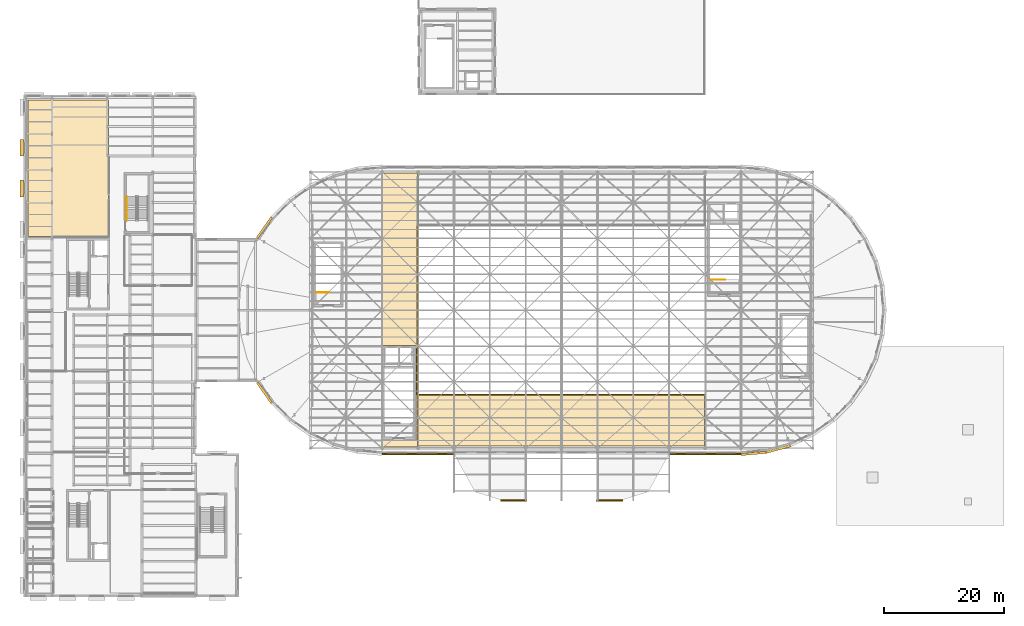
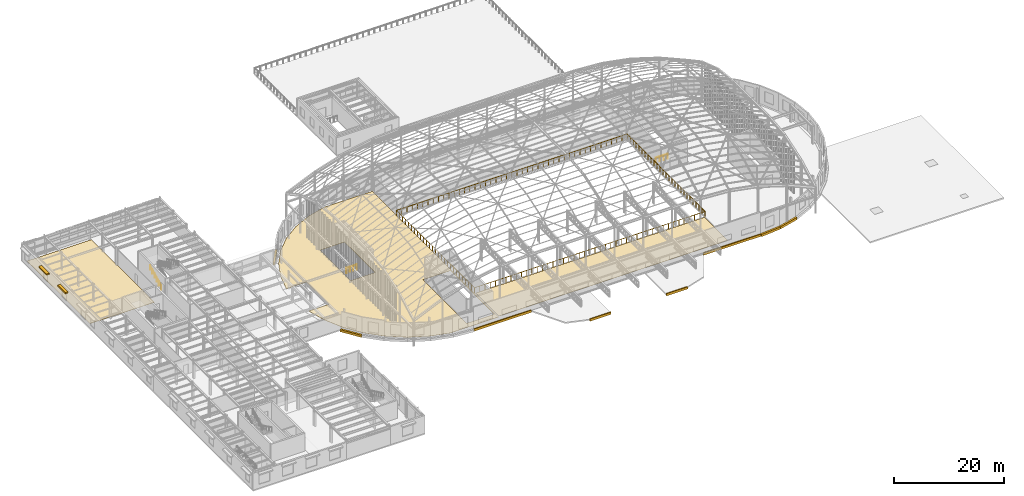
# One storey, part 72 of 75: 11 coverings, 4 railings, 2 shading devices, 1 element without a shape of its own.
"""IFC4 building model written with IfcOpenShell, lengths in metres."""

from ifc_helpers import new_model, si_unit, direction, frame, origin, origin_2d, place, context, subcontext, project, spatial, polyline, rectangle, circle, outline, extrude, material, layer, layer_set, type_object, element, aggregate, save


model = new_model("IFC4")

# Units and contexts
model_context = context("Model", 3, precision=1e-05, world=origin(), true_north=direction((0.0, 1.0)))
body_context = subcontext(model_context, "Body", "Model", "MODEL_VIEW")
ifc_project = project(units=[si_unit("LENGTHUNIT", "METRE"), si_unit("AREAUNIT", "SQUARE_METRE"), si_unit("VOLUMEUNIT", "CUBIC_METRE"), si_unit("PLANEANGLEUNIT", "RADIAN"), si_unit("MASSUNIT", "GRAM", prefix="KILO")], contexts=[model_context])

# Site, building, storey
site_placement = place(None, origin())
site = spatial("IfcSite", under=ifc_project, at=site_placement, CompositionType="ELEMENT")
building_placement = place(site_placement, origin())
building = spatial("IfcBuilding", under=site, at=building_placement, Name="Kolvaren Corner Interchange", CompositionType="ELEMENT")
storey_placement = place(building_placement, frame((0.0, 0.0, 10.5)))
storey = spatial("IfcBuildingStorey", under=building, at=storey_placement, Name="L03", CompositionType="ELEMENT", Elevation=10.5)

# Coverings
ifc_material_1 = material(Name="Polished Niger Delta Granite Terrazzo Flooring", Category="masonry")
ifc_layer_1 = layer(ifc_material_1, 0.030029296875)
ifc_layer_set_1 = layer_set([ifc_layer_1], Name="Polished Niger Delta Granite Terrazzo Flooring")
covering_type_1 = type_object("IfcCoveringType", Name="COV-FLR-TER30", PredefinedType="FLOORING", material=ifc_layer_set_1)
covering_1_placement = place(storey_placement, origin())
element("IfcCovering", 1, at=covering_1_placement, inside=storey, type_object=covering_type_1, Name="L03 West Sky Waiting Hall Floor Finish", PredefinedType="FLOORING", context=body_context, shape_type="SweptSolid", body=[
    extrude(outline(polyline([(37.042724609375, 43.919921875), (38.086669921875, 40.024169921875), (39.804443359375, 36.340087890625), (42.135986328125, 33.010498046875), (45.010498046875, 30.135986328125), (48.340087890625, 27.804443359375), (52.024169921875, 26.086669921875), (55.781005859375, 25.080078125), (65.919921875, 25.080078125), (65.919921875, 33.8759765625), (65.883544921875, 33.905517578125), (65.8701171875, 33.949951171875), (65.8701171875, 62.050048828125), (65.883544921875, 62.094482421875), (65.919921875, 62.1240234375), (65.919921875, 70.919921875), (55.781005859375, 70.919921875), (52.024169921875, 69.913330078125), (48.340087890625, 68.195556640625), (45.010498046875, 65.864013671875), (42.135986328125, 62.989501953125), (39.804443359375, 59.659912109375), (38.086669921875, 55.975830078125), (37.053955078125, 52.080078125), (41.199951171875, 52.080078125), (41.2705078125, 52.03759765625), (41.27392578125, 43.969482421875), (41.244384765625, 43.93359375), (41.199951171875, 43.919921875), (37.042724609375, 43.919921875)]), holes=[polyline([(65.606689453125, 42.106689453125), (65.6298828125, 42.050048828125), (65.626708984375, 26.326904296875), (65.594482421875, 26.283447265625), (65.550048828125, 26.27001953125), (59.9267578125, 26.2734375), (59.88818359375, 26.29931640625), (59.8701171875, 26.35009765625), (59.873291015625, 42.0732421875), (59.899169921875, 42.11181640625), (59.949951171875, 42.1298828125), (65.550048828125, 42.1298828125), (65.606689453125, 42.106689453125)]), polyline([(53.506591796875, 59.506591796875), (53.530029296875, 59.449951171875), (53.52392578125, 48.519287109375), (53.494384765625, 48.4833984375), (53.449951171875, 48.469970703125), (48.519287109375, 48.47607421875), (48.4833984375, 48.505615234375), (48.469970703125, 48.550048828125), (48.47607421875, 59.480712890625), (48.505615234375, 59.5166015625), (48.550048828125, 59.530029296875), (53.449951171875, 59.530029296875), (53.506591796875, 59.506591796875)])]), origin(), (0.0, 0.0, 1.0), 0.030029296875),
])
covering_2_placement = place(storey_placement, origin())
element("IfcCovering", 2, at=covering_2_placement, inside=storey, type_object=covering_type_1, Name="L03 South Sky Waiting Gallery Floor Finish", PredefinedType="FLOORING", context=body_context, shape_type="SweptSolid", body=[
    extrude(outline(polyline([(113.919921875, 25.280029296875), (113.919921875, 33.719970703125), (66.080078125, 33.719970703125), (66.080078125, 25.280029296875), (113.919921875, 25.280029296875)])), origin(), (0.0, 0.0, 1.0), 0.030029296875),
])
covering_3_placement = place(storey_placement, origin())
element("IfcCovering", 3, at=covering_3_placement, inside=storey, type_object=covering_type_1, Name="L03 Staff Records and Archive Suite Floor Finish", PredefinedType="FLOORING", context=body_context, shape_type="SweptSolid", body=[
    extrude(outline(polyline([(0.72998046875, 60.280029296875), (14.219970703125, 60.280029296875), (14.219970703125, 83.1201171875), (0.72998046875, 83.1201171875), (0.72998046875, 60.280029296875)])), origin(), (0.0, 0.0, 1.0), 0.030029296875),
])
ifc_material_2 = material(Name="Glazed White Terracotta Fascia Cladding", Category="masonry")
ifc_layer_2 = layer(ifc_material_2, 0.0400390625)
ifc_layer_set_2 = layer_set([ifc_layer_2], Name="Glazed White Terracotta Fascia Cladding")
covering_type_2 = type_object("IfcCoveringType", Name="COV-WHT-CLAD40", PredefinedType="CLADDING", material=ifc_layer_set_2)
covering_4_placement = place(storey_placement, frame((0.0, 0.0, -0.320068359375)))
element("IfcCovering", 4, at=covering_4_placement, inside=storey, type_object=covering_type_2, Name="South Portal L03 West Parted White Band", PredefinedType="CLADDING", context=body_context, shape_type="SweptSolid", body=[
    extrude(outline(polyline([(79.800048828125, 16.050048828125), (84.199951171875, 16.050048828125), (84.199951171875, 16.25), (79.800048828125, 16.25), (79.800048828125, 16.050048828125)])), origin(), (0.0, 0.0, 1.0), 0.5),
])
covering_5_placement = place(storey_placement, frame((0.0, 0.0, -0.320068359375)))
element("IfcCovering", 5, at=covering_5_placement, inside=storey, type_object=covering_type_2, Name="South Portal L03 East Parted White Band", PredefinedType="CLADDING", context=body_context, shape_type="SweptSolid", body=[
    extrude(outline(polyline([(95.800048828125, 16.050048828125), (100.199951171875, 16.050048828125), (100.199951171875, 16.25), (95.800048828125, 16.25), (95.800048828125, 16.050048828125)])), origin(), (0.0, 0.0, 1.0), 0.5),
])
covering_6_placement = place(storey_placement, frame((0.0, 0.0, -0.320068359375)))
element("IfcCovering", 6, at=covering_6_placement, inside=storey, type_object=covering_type_2, Name="Racetrack South West L03 White Band", PredefinedType="CLADDING", context=body_context, shape_type="SweptSolid", body=[
    extrude(outline(polyline([(60.0, 23.820068359375), (72.0, 23.820068359375), (72.0, 24.06005859375), (60.0, 24.06005859375), (60.0, 23.820068359375)])), origin(), (0.0, 0.0, 1.0), 0.5),
])
covering_7_placement = place(storey_placement, frame((0.0, 0.0, -0.320068359375)))
element("IfcCovering", 7, at=covering_7_placement, inside=storey, type_object=covering_type_2, Name="Racetrack South East L03 White Band", PredefinedType="CLADDING", context=body_context, shape_type="SweptSolid", body=[
    extrude(outline(polyline([(108.0, 23.820068359375), (120.0, 23.820068359375), (120.0, 24.06005859375), (108.0, 24.06005859375), (108.0, 23.820068359375)])), origin(), (0.0, 0.0, 1.0), 0.5),
])
covering_8_placement = place(storey_placement, frame((0.0, 0.0, -0.320068359375)))
element("IfcCovering", 8, at=covering_8_placement, inside=storey, type_object=covering_type_2, Name="Racetrack West L03 Sweeping White Edge Band 06", PredefinedType="CLADDING", context=body_context, shape_type="SweptSolid", body=[
    extrude(outline(polyline([(41.6455078125, 63.401123046875), (41.3544921875, 63.6455078125), (38.9208984375, 60.169921875), (39.25, 59.97998046875), (41.6455078125, 63.401123046875)])), origin(), (0.0, 0.0, 1.0), 0.5),
])
covering_9_placement = place(storey_placement, frame((0.0, 0.0, -0.320068359375)))
element("IfcCovering", 9, at=covering_9_placement, inside=storey, type_object=covering_type_2, Name="Racetrack West L03 Sweeping White Edge Band 13", PredefinedType="CLADDING", context=body_context, shape_type="SweptSolid", body=[
    extrude(outline(polyline([(39.25, 36.02001953125), (38.9208984375, 35.830078125), (41.3544921875, 32.3544921875), (41.6455078125, 32.598876953125), (39.25, 36.02001953125)])), origin(), (0.0, 0.0, 1.0), 0.5),
])
covering_10_placement = place(storey_placement, frame((0.0, 0.0, -0.320068359375)))
element("IfcCovering", 10, at=covering_10_placement, inside=storey, type_object=covering_type_2, Name="Racetrack East L03 Sweeping White Edge Band 01", PredefinedType="CLADDING", context=body_context, shape_type="SweptSolid", body=[
    extrude(outline(polyline([(120.0, 24.0400390625), (120.0, 23.659912109375), (124.2265625, 24.02978515625), (124.16064453125, 24.404052734375), (120.0, 24.0400390625)])), origin(), (0.0, 0.0, 1.0), 0.5),
])
covering_11_placement = place(storey_placement, frame((0.0, 0.0, -0.320068359375)))
element("IfcCovering", 11, at=covering_11_placement, inside=storey, type_object=covering_type_2, Name="Racetrack East L03 Sweeping White Edge Band 02", PredefinedType="CLADDING", context=body_context, shape_type="SweptSolid", body=[
    extrude(outline(polyline([(124.16064453125, 24.404052734375), (124.2265625, 24.02978515625), (128.32470703125, 25.1279296875), (128.19482421875, 25.485107421875), (124.16064453125, 24.404052734375)])), origin(), (0.0, 0.0, 1.0), 0.5),
])

# Railings
ifc_material_3 = material(Name="Acoustic Laminated Glass Sky Gallery Balustrade", Category="glass")
railing_type_1 = type_object("IfcRailingType", Name="RLT-SKY-GRD1180", PredefinedType="BALUSTRADE", material=ifc_material_3)
railing_1_placement = place(storey_placement, frame((65.8798828125, 33.8798828125, 0.0)))
element("IfcRailing", 12, at=railing_1_placement, inside=storey, type_object=railing_type_1, Name="Level 03 Sky Gallery Atrium Void Balustrade", PredefinedType="BALUSTRADE", context=body_context, shape_type="SweptSolid", body=[
    extrude(circle(Radius=0.02587890625, at=origin_2d()), frame((0.0, 0.0, 1.15380859375), z_axis=(1.0, 0.0, 0.0), x_axis=(0.0, 1.0, 0.0)), (0.0, 0.0, 1.0), 48.240234375),
    extrude(circle(Radius=0.02587890625, at=origin_2d()), frame((48.240234375, 0.0, 1.15380859375), z_axis=(0.0, 1.0, 0.0), x_axis=(-1.0, 0.0, 0.0)), (0.0, 0.0, 1.0), 28.240234375),
    extrude(circle(Radius=0.02587890625, at=origin_2d()), frame((48.240234375, 28.240234375, 1.15380859375), z_axis=(-1.0, 0.0, 0.0), x_axis=(0.0, -1.0, 0.0)), (0.0, 0.0, 1.0), 48.240234375),
    extrude(circle(Radius=0.02587890625, at=origin_2d()), frame((0.0, 28.240234375, 1.15380859375), z_axis=(0.0, -1.0, 0.0), x_axis=(1.0, 0.0, 0.0)), (0.0, 0.0, 1.0), 28.240234375),
    extrude(circle(Radius=0.02294921875, at=origin_2d()), origin(), (0.0, 0.0, 1.0), 1.1279296875),
    extrude(circle(Radius=0.02294921875, at=origin_2d()), frame((1.096435546875, 0.0, 0.0)), (0.0, 0.0, 1.0), 1.1279296875),
    extrude(circle(Radius=0.02294921875, at=origin_2d()), frame((2.192626953125, 0.0, 0.0)), (0.0, 0.0, 1.0), 1.1279296875),
    extrude(circle(Radius=0.02294921875, at=origin_2d()), frame((3.2890625, 0.0, 0.0)), (0.0, 0.0, 1.0), 1.1279296875),
    extrude(circle(Radius=0.02294921875, at=origin_2d()), frame((4.385498046875, 0.0, 0.0)), (0.0, 0.0, 1.0), 1.1279296875),
    extrude(circle(Radius=0.02294921875, at=origin_2d()), frame((5.48193359375, 0.0, 0.0)), (0.0, 0.0, 1.0), 1.1279296875),
    extrude(circle(Radius=0.02294921875, at=origin_2d()), frame((6.578125, 0.0, 0.0)), (0.0, 0.0, 1.0), 1.1279296875),
    extrude(circle(Radius=0.02294921875, at=origin_2d()), frame((7.674560546875, 0.0, 0.0)), (0.0, 0.0, 1.0), 1.1279296875),
    extrude(circle(Radius=0.02294921875, at=origin_2d()), frame((8.77099609375, 0.0, 0.0)), (0.0, 0.0, 1.0), 1.1279296875),
    extrude(circle(Radius=0.02294921875, at=origin_2d()), frame((9.867431640625, 0.0, 0.0)), (0.0, 0.0, 1.0), 1.1279296875),
    extrude(circle(Radius=0.02294921875, at=origin_2d()), frame((10.963623046875, 0.0, 0.0)), (0.0, 0.0, 1.0), 1.1279296875),
    extrude(circle(Radius=0.02294921875, at=origin_2d()), frame((12.06005859375, 0.0, 0.0)), (0.0, 0.0, 1.0), 1.1279296875),
    extrude(circle(Radius=0.02294921875, at=origin_2d()), frame((13.156494140625, 0.0, 0.0)), (0.0, 0.0, 1.0), 1.1279296875),
    extrude(circle(Radius=0.02294921875, at=origin_2d()), frame((14.252685546875, 0.0, 0.0)), (0.0, 0.0, 1.0), 1.1279296875),
    extrude(circle(Radius=0.02294921875, at=origin_2d()), frame((15.34912109375, 0.0, 0.0)), (0.0, 0.0, 1.0), 1.1279296875),
    extrude(circle(Radius=0.02294921875, at=origin_2d()), frame((16.445556640625, 0.0, 0.0)), (0.0, 0.0, 1.0), 1.1279296875),
    extrude(circle(Radius=0.02294921875, at=origin_2d()), frame((17.5419921875, 0.0, 0.0)), (0.0, 0.0, 1.0), 1.1279296875),
    extrude(circle(Radius=0.02294921875, at=origin_2d()), frame((18.63818359375, 0.0, 0.0)), (0.0, 0.0, 1.0), 1.1279296875),
    extrude(circle(Radius=0.02294921875, at=origin_2d()), frame((19.734619140625, 0.0, 0.0)), (0.0, 0.0, 1.0), 1.1279296875),
    extrude(circle(Radius=0.02294921875, at=origin_2d()), frame((20.8310546875, 0.0, 0.0)), (0.0, 0.0, 1.0), 1.1279296875),
    extrude(circle(Radius=0.02294921875, at=origin_2d()), frame((21.927490234375, 0.0, 0.0)), (0.0, 0.0, 1.0), 1.1279296875),
    extrude(circle(Radius=0.02294921875, at=origin_2d()), frame((23.023681640625, 0.0, 0.0)), (0.0, 0.0, 1.0), 1.1279296875),
    extrude(circle(Radius=0.02294921875, at=origin_2d()), frame((24.1201171875, 0.0, 0.0)), (0.0, 0.0, 1.0), 1.1279296875),
    extrude(circle(Radius=0.02294921875, at=origin_2d()), frame((25.216552734375, 0.0, 0.0)), (0.0, 0.0, 1.0), 1.1279296875),
    extrude(circle(Radius=0.02294921875, at=origin_2d()), frame((26.312744140625, 0.0, 0.0)), (0.0, 0.0, 1.0), 1.1279296875),
    extrude(circle(Radius=0.02294921875, at=origin_2d()), frame((27.4091796875, 0.0, 0.0)), (0.0, 0.0, 1.0), 1.1279296875),
    extrude(circle(Radius=0.02294921875, at=origin_2d()), frame((28.505615234375, 0.0, 0.0)), (0.0, 0.0, 1.0), 1.1279296875),
    extrude(circle(Radius=0.02294921875, at=origin_2d()), frame((29.60205078125, 0.0, 0.0)), (0.0, 0.0, 1.0), 1.1279296875),
    extrude(circle(Radius=0.02294921875, at=origin_2d()), frame((30.6982421875, 0.0, 0.0)), (0.0, 0.0, 1.0), 1.1279296875),
    extrude(circle(Radius=0.02294921875, at=origin_2d()), frame((31.794677734375, 0.0, 0.0)), (0.0, 0.0, 1.0), 1.1279296875),
    extrude(circle(Radius=0.02294921875, at=origin_2d()), frame((32.89111328125, 0.0, 0.0)), (0.0, 0.0, 1.0), 1.1279296875),
    extrude(circle(Radius=0.02294921875, at=origin_2d()), frame((33.987548828125, 0.0, 0.0)), (0.0, 0.0, 1.0), 1.1279296875),
    extrude(circle(Radius=0.02294921875, at=origin_2d()), frame((35.083740234375, 0.0, 0.0)), (0.0, 0.0, 1.0), 1.1279296875),
    extrude(circle(Radius=0.02294921875, at=origin_2d()), frame((36.18017578125, 0.0, 0.0)), (0.0, 0.0, 1.0), 1.1279296875),
    extrude(circle(Radius=0.02294921875, at=origin_2d()), frame((37.276611328125, 0.0, 0.0)), (0.0, 0.0, 1.0), 1.1279296875),
    extrude(circle(Radius=0.02294921875, at=origin_2d()), frame((38.372802734375, 0.0, 0.0)), (0.0, 0.0, 1.0), 1.1279296875),
    extrude(circle(Radius=0.02294921875, at=origin_2d()), frame((39.46923828125, 0.0, 0.0)), (0.0, 0.0, 1.0), 1.1279296875),
    extrude(circle(Radius=0.02294921875, at=origin_2d()), frame((40.565673828125, 0.0, 0.0)), (0.0, 0.0, 1.0), 1.1279296875),
    extrude(circle(Radius=0.02294921875, at=origin_2d()), frame((41.662109375, 0.0, 0.0)), (0.0, 0.0, 1.0), 1.1279296875),
    extrude(circle(Radius=0.02294921875, at=origin_2d()), frame((42.75830078125, 0.0, 0.0)), (0.0, 0.0, 1.0), 1.1279296875),
    extrude(circle(Radius=0.02294921875, at=origin_2d()), frame((43.854736328125, 0.0, 0.0)), (0.0, 0.0, 1.0), 1.1279296875),
    extrude(circle(Radius=0.02294921875, at=origin_2d()), frame((44.951171875, 0.0, 0.0)), (0.0, 0.0, 1.0), 1.1279296875),
    extrude(circle(Radius=0.02294921875, at=origin_2d()), frame((46.047607421875, 0.0, 0.0)), (0.0, 0.0, 1.0), 1.1279296875),
    extrude(circle(Radius=0.02294921875, at=origin_2d()), frame((47.143798828125, 0.0, 0.0)), (0.0, 0.0, 1.0), 1.1279296875),
    extrude(circle(Radius=0.02294921875, at=origin_2d()), frame((48.240234375, 0.0, 0.0)), (0.0, 0.0, 1.0), 1.1279296875),
    extrude(circle(Radius=0.02294921875, at=origin_2d()), frame((48.240234375, 1.086181640625, 0.0)), (0.0, 0.0, 1.0), 1.1279296875),
    extrude(circle(Radius=0.02294921875, at=origin_2d()), frame((48.240234375, 2.17236328125, 0.0)), (0.0, 0.0, 1.0), 1.1279296875),
    extrude(circle(Radius=0.02294921875, at=origin_2d()), frame((48.240234375, 3.258544921875, 0.0)), (0.0, 0.0, 1.0), 1.1279296875),
    extrude(circle(Radius=0.02294921875, at=origin_2d()), frame((48.240234375, 4.3447265625, 0.0)), (0.0, 0.0, 1.0), 1.1279296875),
    extrude(circle(Radius=0.02294921875, at=origin_2d()), frame((48.240234375, 5.430908203125, 0.0)), (0.0, 0.0, 1.0), 1.1279296875),
    extrude(circle(Radius=0.02294921875, at=origin_2d()), frame((48.240234375, 6.51708984375, 0.0)), (0.0, 0.0, 1.0), 1.1279296875),
    extrude(circle(Radius=0.02294921875, at=origin_2d()), frame((48.240234375, 7.60302734375, 0.0)), (0.0, 0.0, 1.0), 1.1279296875),
    extrude(circle(Radius=0.02294921875, at=origin_2d()), frame((48.240234375, 8.689208984375, 0.0)), (0.0, 0.0, 1.0), 1.1279296875),
    extrude(circle(Radius=0.02294921875, at=origin_2d()), frame((48.240234375, 9.775390625, 0.0)), (0.0, 0.0, 1.0), 1.1279296875),
    extrude(circle(Radius=0.02294921875, at=origin_2d()), frame((48.240234375, 10.861572265625, 0.0)), (0.0, 0.0, 1.0), 1.1279296875),
    extrude(circle(Radius=0.02294921875, at=origin_2d()), frame((48.240234375, 11.94775390625, 0.0)), (0.0, 0.0, 1.0), 1.1279296875),
    extrude(circle(Radius=0.02294921875, at=origin_2d()), frame((48.240234375, 13.033935546875, 0.0)), (0.0, 0.0, 1.0), 1.1279296875),
    extrude(circle(Radius=0.02294921875, at=origin_2d()), frame((48.240234375, 14.1201171875, 0.0)), (0.0, 0.0, 1.0), 1.1279296875),
    extrude(circle(Radius=0.02294921875, at=origin_2d()), frame((48.240234375, 15.206298828125, 0.0)), (0.0, 0.0, 1.0), 1.1279296875),
    extrude(circle(Radius=0.02294921875, at=origin_2d()), frame((48.240234375, 16.29248046875, 0.0)), (0.0, 0.0, 1.0), 1.1279296875),
    extrude(circle(Radius=0.02294921875, at=origin_2d()), frame((48.240234375, 17.378662109375, 0.0)), (0.0, 0.0, 1.0), 1.1279296875),
    extrude(circle(Radius=0.02294921875, at=origin_2d()), frame((48.240234375, 18.46484375, 0.0)), (0.0, 0.0, 1.0), 1.1279296875),
    extrude(circle(Radius=0.02294921875, at=origin_2d()), frame((48.240234375, 19.551025390625, 0.0)), (0.0, 0.0, 1.0), 1.1279296875),
    extrude(circle(Radius=0.02294921875, at=origin_2d()), frame((48.240234375, 20.63720703125, 0.0)), (0.0, 0.0, 1.0), 1.1279296875),
    extrude(circle(Radius=0.02294921875, at=origin_2d()), frame((48.240234375, 21.72314453125, 0.0)), (0.0, 0.0, 1.0), 1.1279296875),
    extrude(circle(Radius=0.02294921875, at=origin_2d()), frame((48.240234375, 22.809326171875, 0.0)), (0.0, 0.0, 1.0), 1.1279296875),
    extrude(circle(Radius=0.02294921875, at=origin_2d()), frame((48.240234375, 23.8955078125, 0.0)), (0.0, 0.0, 1.0), 1.1279296875),
    extrude(circle(Radius=0.02294921875, at=origin_2d()), frame((48.240234375, 24.981689453125, 0.0)), (0.0, 0.0, 1.0), 1.1279296875),
    extrude(circle(Radius=0.02294921875, at=origin_2d()), frame((48.240234375, 26.06787109375, 0.0)), (0.0, 0.0, 1.0), 1.1279296875),
    extrude(circle(Radius=0.02294921875, at=origin_2d()), frame((48.240234375, 27.154052734375, 0.0)), (0.0, 0.0, 1.0), 1.1279296875),
    extrude(circle(Radius=0.02294921875, at=origin_2d()), frame((48.240234375, 28.240234375, 0.0)), (0.0, 0.0, 1.0), 1.1279296875),
    extrude(circle(Radius=0.02294921875, at=origin_2d()), frame((47.143798828125, 28.240234375, 0.0)), (0.0, 0.0, 1.0), 1.1279296875),
    extrude(circle(Radius=0.02294921875, at=origin_2d()), frame((46.047607421875, 28.240234375, 0.0)), (0.0, 0.0, 1.0), 1.1279296875),
    extrude(circle(Radius=0.02294921875, at=origin_2d()), frame((44.951171875, 28.240234375, 0.0)), (0.0, 0.0, 1.0), 1.1279296875),
    extrude(circle(Radius=0.02294921875, at=origin_2d()), frame((43.854736328125, 28.240234375, 0.0)), (0.0, 0.0, 1.0), 1.1279296875),
    extrude(circle(Radius=0.02294921875, at=origin_2d()), frame((42.75830078125, 28.240234375, 0.0)), (0.0, 0.0, 1.0), 1.1279296875),
    extrude(circle(Radius=0.02294921875, at=origin_2d()), frame((41.662109375, 28.240234375, 0.0)), (0.0, 0.0, 1.0), 1.1279296875),
    extrude(circle(Radius=0.02294921875, at=origin_2d()), frame((40.565673828125, 28.240234375, 0.0)), (0.0, 0.0, 1.0), 1.1279296875),
    extrude(circle(Radius=0.02294921875, at=origin_2d()), frame((39.46923828125, 28.240234375, 0.0)), (0.0, 0.0, 1.0), 1.1279296875),
    extrude(circle(Radius=0.02294921875, at=origin_2d()), frame((38.372802734375, 28.240234375, 0.0)), (0.0, 0.0, 1.0), 1.1279296875),
    extrude(circle(Radius=0.02294921875, at=origin_2d()), frame((37.276611328125, 28.240234375, 0.0)), (0.0, 0.0, 1.0), 1.1279296875),
    extrude(circle(Radius=0.02294921875, at=origin_2d()), frame((36.18017578125, 28.240234375, 0.0)), (0.0, 0.0, 1.0), 1.1279296875),
    extrude(circle(Radius=0.02294921875, at=origin_2d()), frame((35.083740234375, 28.240234375, 0.0)), (0.0, 0.0, 1.0), 1.1279296875),
    extrude(circle(Radius=0.02294921875, at=origin_2d()), frame((33.987548828125, 28.240234375, 0.0)), (0.0, 0.0, 1.0), 1.1279296875),
    extrude(circle(Radius=0.02294921875, at=origin_2d()), frame((32.89111328125, 28.240234375, 0.0)), (0.0, 0.0, 1.0), 1.1279296875),
    extrude(circle(Radius=0.02294921875, at=origin_2d()), frame((31.794677734375, 28.240234375, 0.0)), (0.0, 0.0, 1.0), 1.1279296875),
    extrude(circle(Radius=0.02294921875, at=origin_2d()), frame((30.6982421875, 28.240234375, 0.0)), (0.0, 0.0, 1.0), 1.1279296875),
    extrude(circle(Radius=0.02294921875, at=origin_2d()), frame((29.60205078125, 28.240234375, 0.0)), (0.0, 0.0, 1.0), 1.1279296875),
    extrude(circle(Radius=0.02294921875, at=origin_2d()), frame((28.505615234375, 28.240234375, 0.0)), (0.0, 0.0, 1.0), 1.1279296875),
    extrude(circle(Radius=0.02294921875, at=origin_2d()), frame((27.4091796875, 28.240234375, 0.0)), (0.0, 0.0, 1.0), 1.1279296875),
    extrude(circle(Radius=0.02294921875, at=origin_2d()), frame((26.312744140625, 28.240234375, 0.0)), (0.0, 0.0, 1.0), 1.1279296875),
    extrude(circle(Radius=0.02294921875, at=origin_2d()), frame((25.216552734375, 28.240234375, 0.0)), (0.0, 0.0, 1.0), 1.1279296875),
    extrude(circle(Radius=0.02294921875, at=origin_2d()), frame((24.1201171875, 28.240234375, 0.0)), (0.0, 0.0, 1.0), 1.1279296875),
    extrude(circle(Radius=0.02294921875, at=origin_2d()), frame((23.023681640625, 28.240234375, 0.0)), (0.0, 0.0, 1.0), 1.1279296875),
    extrude(circle(Radius=0.02294921875, at=origin_2d()), frame((21.927490234375, 28.240234375, 0.0)), (0.0, 0.0, 1.0), 1.1279296875),
    extrude(circle(Radius=0.02294921875, at=origin_2d()), frame((20.8310546875, 28.240234375, 0.0)), (0.0, 0.0, 1.0), 1.1279296875),
    extrude(circle(Radius=0.02294921875, at=origin_2d()), frame((19.734619140625, 28.240234375, 0.0)), (0.0, 0.0, 1.0), 1.1279296875),
    extrude(circle(Radius=0.02294921875, at=origin_2d()), frame((18.63818359375, 28.240234375, 0.0)), (0.0, 0.0, 1.0), 1.1279296875),
    extrude(circle(Radius=0.02294921875, at=origin_2d()), frame((17.5419921875, 28.240234375, 0.0)), (0.0, 0.0, 1.0), 1.1279296875),
    extrude(circle(Radius=0.02294921875, at=origin_2d()), frame((16.445556640625, 28.240234375, 0.0)), (0.0, 0.0, 1.0), 1.1279296875),
    extrude(circle(Radius=0.02294921875, at=origin_2d()), frame((15.34912109375, 28.240234375, 0.0)), (0.0, 0.0, 1.0), 1.1279296875),
    extrude(circle(Radius=0.02294921875, at=origin_2d()), frame((14.252685546875, 28.240234375, 0.0)), (0.0, 0.0, 1.0), 1.1279296875),
    extrude(circle(Radius=0.02294921875, at=origin_2d()), frame((13.156494140625, 28.240234375, 0.0)), (0.0, 0.0, 1.0), 1.1279296875),
    extrude(circle(Radius=0.02294921875, at=origin_2d()), frame((12.06005859375, 28.240234375, 0.0)), (0.0, 0.0, 1.0), 1.1279296875),
    extrude(circle(Radius=0.02294921875, at=origin_2d()), frame((10.963623046875, 28.240234375, 0.0)), (0.0, 0.0, 1.0), 1.1279296875),
    extrude(circle(Radius=0.02294921875, at=origin_2d()), frame((9.867431640625, 28.240234375, 0.0)), (0.0, 0.0, 1.0), 1.1279296875),
    extrude(circle(Radius=0.02294921875, at=origin_2d()), frame((8.77099609375, 28.240234375, 0.0)), (0.0, 0.0, 1.0), 1.1279296875),
    extrude(circle(Radius=0.02294921875, at=origin_2d()), frame((7.674560546875, 28.240234375, 0.0)), (0.0, 0.0, 1.0), 1.1279296875),
    extrude(circle(Radius=0.02294921875, at=origin_2d()), frame((6.578125, 28.240234375, 0.0)), (0.0, 0.0, 1.0), 1.1279296875),
    extrude(circle(Radius=0.02294921875, at=origin_2d()), frame((5.48193359375, 28.240234375, 0.0)), (0.0, 0.0, 1.0), 1.1279296875),
    extrude(circle(Radius=0.02294921875, at=origin_2d()), frame((4.385498046875, 28.240234375, 0.0)), (0.0, 0.0, 1.0), 1.1279296875),
    extrude(circle(Radius=0.02294921875, at=origin_2d()), frame((3.2890625, 28.240234375, 0.0)), (0.0, 0.0, 1.0), 1.1279296875),
    extrude(circle(Radius=0.02294921875, at=origin_2d()), frame((2.192626953125, 28.240234375, 0.0)), (0.0, 0.0, 1.0), 1.1279296875),
    extrude(circle(Radius=0.02294921875, at=origin_2d()), frame((1.096435546875, 28.240234375, 0.0)), (0.0, 0.0, 1.0), 1.1279296875),
    extrude(circle(Radius=0.02294921875, at=origin_2d()), frame((0.0, 28.240234375, 0.0)), (0.0, 0.0, 1.0), 1.1279296875),
    extrude(circle(Radius=0.02294921875, at=origin_2d()), frame((0.0, 27.154052734375, 0.0)), (0.0, 0.0, 1.0), 1.1279296875),
    extrude(circle(Radius=0.02294921875, at=origin_2d()), frame((0.0, 26.06787109375, 0.0)), (0.0, 0.0, 1.0), 1.1279296875),
    extrude(circle(Radius=0.02294921875, at=origin_2d()), frame((0.0, 24.981689453125, 0.0)), (0.0, 0.0, 1.0), 1.1279296875),
    extrude(circle(Radius=0.02294921875, at=origin_2d()), frame((0.0, 23.8955078125, 0.0)), (0.0, 0.0, 1.0), 1.1279296875),
    extrude(circle(Radius=0.02294921875, at=origin_2d()), frame((0.0, 22.809326171875, 0.0)), (0.0, 0.0, 1.0), 1.1279296875),
    extrude(circle(Radius=0.02294921875, at=origin_2d()), frame((0.0, 21.72314453125, 0.0)), (0.0, 0.0, 1.0), 1.1279296875),
    extrude(circle(Radius=0.02294921875, at=origin_2d()), frame((0.0, 20.63720703125, 0.0)), (0.0, 0.0, 1.0), 1.1279296875),
    extrude(circle(Radius=0.02294921875, at=origin_2d()), frame((0.0, 19.551025390625, 0.0)), (0.0, 0.0, 1.0), 1.1279296875),
    extrude(circle(Radius=0.02294921875, at=origin_2d()), frame((0.0, 18.46484375, 0.0)), (0.0, 0.0, 1.0), 1.1279296875),
    extrude(circle(Radius=0.02294921875, at=origin_2d()), frame((0.0, 17.378662109375, 0.0)), (0.0, 0.0, 1.0), 1.1279296875),
    extrude(circle(Radius=0.02294921875, at=origin_2d()), frame((0.0, 16.29248046875, 0.0)), (0.0, 0.0, 1.0), 1.1279296875),
    extrude(circle(Radius=0.02294921875, at=origin_2d()), frame((0.0, 15.206298828125, 0.0)), (0.0, 0.0, 1.0), 1.1279296875),
    extrude(circle(Radius=0.02294921875, at=origin_2d()), frame((0.0, 14.1201171875, 0.0)), (0.0, 0.0, 1.0), 1.1279296875),
    extrude(circle(Radius=0.02294921875, at=origin_2d()), frame((0.0, 13.033935546875, 0.0)), (0.0, 0.0, 1.0), 1.1279296875),
    extrude(circle(Radius=0.02294921875, at=origin_2d()), frame((0.0, 11.94775390625, 0.0)), (0.0, 0.0, 1.0), 1.1279296875),
    extrude(circle(Radius=0.02294921875, at=origin_2d()), frame((0.0, 10.861572265625, 0.0)), (0.0, 0.0, 1.0), 1.1279296875),
    extrude(circle(Radius=0.02294921875, at=origin_2d()), frame((0.0, 9.775390625, 0.0)), (0.0, 0.0, 1.0), 1.1279296875),
    extrude(circle(Radius=0.02294921875, at=origin_2d()), frame((0.0, 8.689208984375, 0.0)), (0.0, 0.0, 1.0), 1.1279296875),
    extrude(circle(Radius=0.02294921875, at=origin_2d()), frame((0.0, 7.60302734375, 0.0)), (0.0, 0.0, 1.0), 1.1279296875),
    extrude(circle(Radius=0.02294921875, at=origin_2d()), frame((0.0, 6.51708984375, 0.0)), (0.0, 0.0, 1.0), 1.1279296875),
    extrude(circle(Radius=0.02294921875, at=origin_2d()), frame((0.0, 5.430908203125, 0.0)), (0.0, 0.0, 1.0), 1.1279296875),
    extrude(circle(Radius=0.02294921875, at=origin_2d()), frame((0.0, 4.3447265625, 0.0)), (0.0, 0.0, 1.0), 1.1279296875),
    extrude(circle(Radius=0.02294921875, at=origin_2d()), frame((0.0, 3.258544921875, 0.0)), (0.0, 0.0, 1.0), 1.1279296875),
    extrude(circle(Radius=0.02294921875, at=origin_2d()), frame((0.0, 2.17236328125, 0.0)), (0.0, 0.0, 1.0), 1.1279296875),
    extrude(circle(Radius=0.02294921875, at=origin_2d()), frame((0.0, 1.086181640625, 0.0)), (0.0, 0.0, 1.0), 1.1279296875),
])
ifc_material_4 = material(Name="Powder-Coated Steel Stairwell Guardrail", Category="steel")
railing_type_2 = type_object("IfcRailingType", Name="RLT-STAIR-GRD1120", PredefinedType="GUARDRAIL", material=ifc_material_4)
railing_2_placement = place(storey_placement, frame((114.909912109375, 53.090087890625, 0.0)))
element("IfcRailing", 13, at=railing_2_placement, inside=storey, type_object=railing_type_2, Name="Core C4 East Concourse Transfer Stair L03 Landing Edge Guardrail", PredefinedType="GUARDRAIL", context=body_context, shape_type="SweptSolid", body=[
    extrude(circle(Radius=0.02392578125, at=origin_2d()), frame((0.0, 0.0, 1.09619140625), z_axis=(1.0, 0.0, 0.0), x_axis=(0.0, 1.0, 0.0)), (0.0, 0.0, 1.0), 2.47998046875),
    extrude(circle(Radius=0.02001953125, at=origin_2d()), origin(), (0.0, 0.0, 1.0), 1.072021484375),
    extrude(circle(Radius=0.02001953125, at=origin_2d()), frame((0.82666015625, 0.0, 0.0)), (0.0, 0.0, 1.0), 1.072021484375),
    extrude(circle(Radius=0.02001953125, at=origin_2d()), frame((1.6533203125, 0.0, 0.0)), (0.0, 0.0, 1.0), 1.072021484375),
    extrude(circle(Radius=0.02001953125, at=origin_2d()), frame((2.47998046875, 0.0, 0.0)), (0.0, 0.0, 1.0), 1.072021484375),
])
railing_3_placement = place(storey_placement, frame((48.9599609375, 50.93994140625, 0.0)))
element("IfcRailing", 14, at=railing_3_placement, inside=storey, type_object=railing_type_2, Name="West Racetrack Concourse Gallery Stair L03 Landing Edge Guardrail", PredefinedType="GUARDRAIL", context=body_context, shape_type="SweptSolid", body=[
    extrude(circle(Radius=0.02392578125, at=origin_2d()), frame((0.0, 0.0, 1.09619140625), z_axis=(1.0, 0.0, 0.0), x_axis=(0.0, 1.0, 0.0)), (0.0, 0.0, 1.0), 2.179931640625),
    extrude(circle(Radius=0.02001953125, at=origin_2d()), origin(), (0.0, 0.0, 1.0), 1.072021484375),
    extrude(circle(Radius=0.02001953125, at=origin_2d()), frame((0.7265625, 0.0, 0.0)), (0.0, 0.0, 1.0), 1.072021484375),
    extrude(circle(Radius=0.02001953125, at=origin_2d()), frame((1.453369140625, 0.0, 0.0)), (0.0, 0.0, 1.0), 1.072021484375),
    extrude(circle(Radius=0.02001953125, at=origin_2d()), frame((2.179931640625, 0.0, 0.0)), (0.0, 0.0, 1.0), 1.072021484375),
])

# Stair, railing
ifc_material_5 = material(Name="Concrete C35/45", Category="concrete")
stair_type = type_object("IfcStairType", Name="ST-OP-1750", PredefinedType="HALF_TURN_STAIR", material=ifc_material_5)
stair_placement = place(storey_placement, origin())
stair = element("IfcStair", 15, at=stair_placement, inside=storey, type_object=stair_type, Name="Operations North Wing Protected Exit Stair L03 to L04 Stair", PredefinedType="HALF_TURN_STAIR")
ifc_material_6 = material(Name="Brushed Stainless Steel Stair Handrail", Category="steel")
railing_type_3 = type_object("IfcRailingType", Name="RLT-STAIR-HR950", PredefinedType="HANDRAIL", material=ifc_material_6)
railing_4_placement = place(storey_placement, frame((17.2099609375, 63.0, 0.14990234375)))
railing_4 = element("IfcRailing", 16, at=railing_4_placement, type_object=railing_type_3, Name="Operations North Wing Protected Exit Stair L03 Lower Flight Wall Handrail", PredefinedType="HANDRAIL", context=body_context, shape_type="SweptSolid", body=[
    extrude(circle(Radius=0.02197265625, at=origin_2d()), frame((0.0, 0.0, 0.927978515625), z_axis=(0.0, 0.900143388088, 0.435593710792), x_axis=(-1.0, 0.0, 0.0)), (0.0, 0.0, 1.0), 4.47705078125),
    extrude(circle(Radius=0.01806640625, at=origin_2d()), origin(), (0.0, 0.0, 1.0), 0.906005859375),
    extrude(circle(Radius=0.01806640625, at=origin_2d()), frame((0.0, 0.805908203125, 0.39013671875)), (0.0, 0.0, 1.0), 0.906005859375),
    extrude(circle(Radius=0.01806640625, at=origin_2d()), frame((0.0, 1.612060546875, 0.780029296875)), (0.0, 0.0, 1.0), 0.906005859375),
    extrude(circle(Radius=0.01806640625, at=origin_2d()), frame((0.0, 2.41796875, 1.170166015625)), (0.0, 0.0, 1.0), 0.906005859375),
    extrude(circle(Radius=0.01806640625, at=origin_2d()), frame((0.0, 3.22412109375, 1.56005859375)), (0.0, 0.0, 1.0), 0.906005859375),
    extrude(circle(Radius=0.01806640625, at=origin_2d()), frame((0.0, 4.030029296875, 1.9501953125)), (0.0, 0.0, 1.0), 0.906005859375),
])
aggregate(stair, [railing_4])

# Shading devices
ifc_material_7 = material(Name="Cream Ceramic Baguette Brise-Soleil")
shading_device_type = type_object("IfcShadingDeviceType", Name="SHD-BAG-H600", PredefinedType="JALOUSIE", material=ifc_material_7)
for number, where, z_axis, x_axis, name in (
    (17, (-0.2900390625, 75.1494140625, 3.02978515625), (0.0, 0.0, 1.0), (0.0, -1.0, 0.0), "L03 Ceramic Solar Shading 0074"),
    (18, (-0.2900390625, 68.3408203125, 3.02978515625), (0.0, 0.0, 1.0), (0.0, -1.0, 0.0), "L03 Ceramic Solar Shading 0075"),
):
    element("IfcShadingDevice", number, at=place(storey_placement, frame(where, z_axis=z_axis, x_axis=x_axis)), inside=storey, type_object=shading_device_type, Name=name, PredefinedType="JALOUSIE", context=body_context, shape_type="SweptSolid", body=[
        extrude(rectangle(XDim=2.800048828125, YDim=0.60009765625, at=origin_2d()), origin(), (0.0, 0.0, 1.0), 0.260009765625),
    ])

save(model, "model.ifc")
